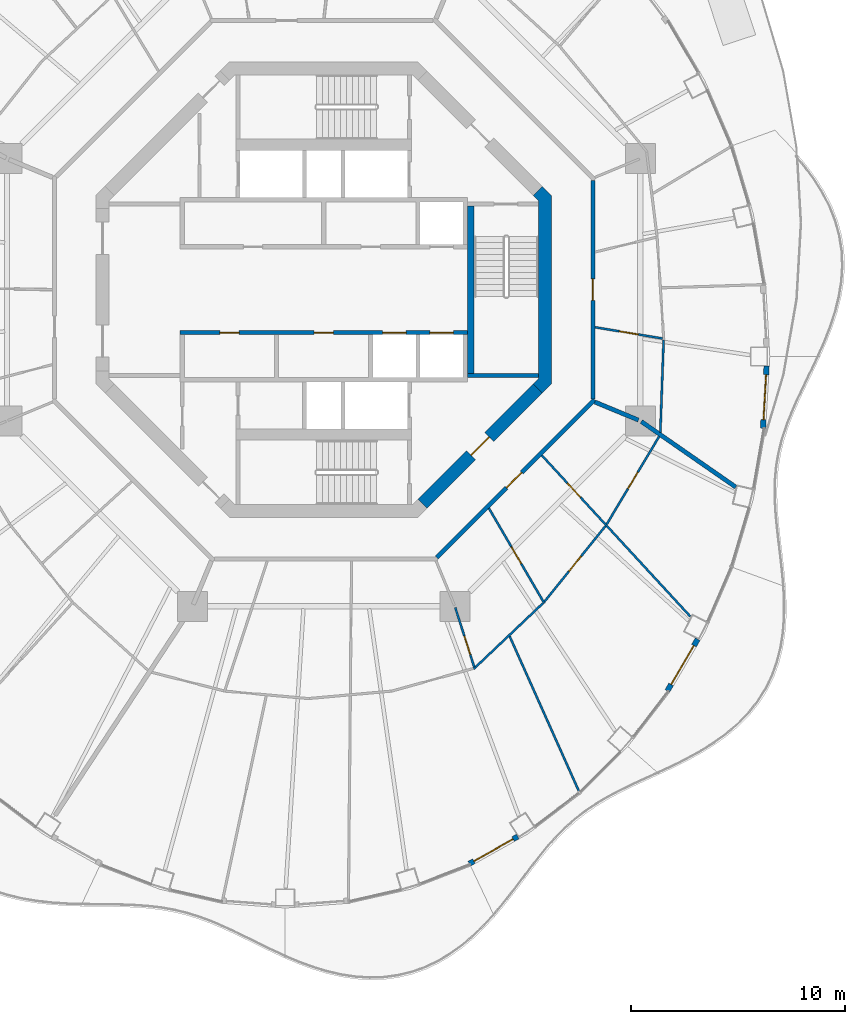
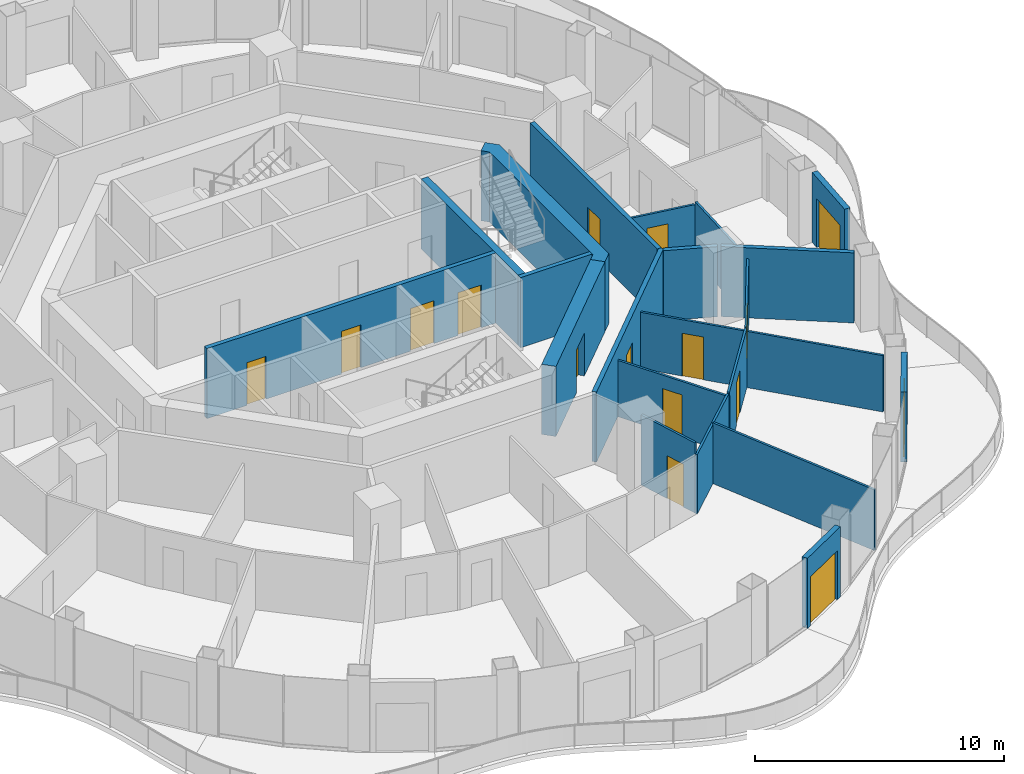
# One storey, part 11 of 17: 21 walls, 16 doors, 16 openings.
"""IFC4 building model written with IfcOpenShell, lengths in metres."""

from ifc_helpers import new_model, si_unit, direction, frame, frame_2d, origin, place, context, subcontext, project, spatial, polyline, rectangle, outline, extrude, material, layer, layer_set, type_object, element, fill, save


model = new_model("IFC4")

# Units and contexts
model_context = context("Model", 3, precision=1e-05, world=origin(), true_north=direction((0.0, 1.0)))
body_context = subcontext(model_context, "Body", "Model", "MODEL_VIEW")
ifc_project = project(units=[si_unit("LENGTHUNIT", "METRE"), si_unit("AREAUNIT", "SQUARE_METRE"), si_unit("VOLUMEUNIT", "CUBIC_METRE"), si_unit("PLANEANGLEUNIT", "RADIAN"), si_unit("MASSUNIT", "GRAM", prefix="KILO")], contexts=[model_context])

# Site, building, storey
site_placement = place(None, origin())
site = spatial("IfcSite", under=ifc_project, at=site_placement, CompositionType="ELEMENT")
building_placement = place(site_placement, origin())
building = spatial("IfcBuilding", under=site, at=building_placement, Name="Nagisa Residences", CompositionType="ELEMENT")
storey_placement = place(building_placement, frame((0.0, 0.0, 258.5)))
storey = spatial("IfcBuildingStorey", under=building, at=storey_placement, Name="L65", CompositionType="ELEMENT", Elevation=258.5)

# Walls
ifc_material_1 = material(Name="Gypsum board on steel studs", Category="steel")
ifc_layer_1 = layer(ifc_material_1, 0.199951171875)
ifc_layer_set_1 = layer_set([ifc_layer_1], Name="Apartment compartment wall EI60 200")
wall_type_1 = type_object("IfcWallType", Name="Apartment compartment wall EI60 200", PredefinedType="PARTITIONING", material=ifc_layer_set_1)
wall_1_placement = place(storey_placement, frame((12.6572265625, -5.24267578125, 0.0), z_axis=(0.0, 0.0, 1.0), x_axis=(0.92383017907, -0.382802560388, 0.0)))
element("IfcWall", 1, at=wall_1_placement, inside=storey, type_object=wall_type_1, Name="wall:L65:u06", PredefinedType="PARTITIONING", context=body_context, shape_type="SweptSolid", body=[
    extrude(rectangle(XDim=2.2001953125, YDim=0.199951171875, at=frame_2d((1.10009765625, 0.0))), origin(), (0.0, 0.0, 1.0), 3.43994140625),
])
wall_2_placement = place(storey_placement, frame((14.8232421875, -6.1513671875, 0.0), z_axis=(0.0, 0.0, 1.0), x_axis=(0.821435065081, -0.570302054928, 0.0)))
element("IfcWall", 2, at=wall_2_placement, inside=storey, type_object=wall_type_1, Name="wall:L65:u07", PredefinedType="PARTITIONING", context=body_context, shape_type="SweptSolid", body=[
    extrude(rectangle(XDim=5.3681640625, YDim=0.199951171875, at=frame_2d((2.68408203125, 0.0))), origin(), (0.0, 0.0, 1.0), 3.43994140625),
])

# Wall, opening, door
ifc_material_2 = material(Name="Gypsum board on steel studs", Category="steel")
ifc_layer_2 = layer(ifc_material_2, 0.199951171875)
ifc_layer_set_2 = layer_set([ifc_layer_2], Name="Apartment entry wall EI60 200")
wall_type_2 = type_object("IfcWallType", Name="Apartment entry wall EI60 200", PredefinedType="PARTITIONING", material=ifc_layer_set_2)
wall_3_placement = place(storey_placement, frame((12.564697265625, -5.1044921875, 0.0), z_axis=(0.0, 0.0, 1.0), x_axis=(0.0, 1.0, 0.0)))
wall_3 = element("IfcWall", 3, at=wall_3_placement, inside=storey, type_object=wall_type_2, Name="wall:L65:u08", PredefinedType="PARTITIONING", context=body_context, shape_type="SweptSolid", body=[
    extrude(rectangle(XDim=10.208984375, YDim=0.199951171875, at=frame_2d((5.1044921875, 0.0))), origin(), (0.0, 0.0, 1.0), 3.43994140625),
])
opening_1_placement = place(wall_3_placement, frame((4.6044921875, 0.0, 0.0)))
opening_1 = element("IfcOpeningElement", 4, at=opening_1_placement, cuts=wall_3, Name="Opening L65-U01", PredefinedType="OPENING", context=body_context, shape_type="SweptSolid", body=[
    extrude(rectangle(XDim=1.0, YDim=2.10009765625, at=frame_2d((0.5, 1.050048828125))), frame((0.0, 0.10986328125, 0.0), z_axis=(0.0, -1.0, 0.0), x_axis=(1.0, 0.0, 0.0)), (0.0, 0.0, 1.0), 0.219970703125),
])
ifc_material_3 = material(Name="Timber fire door set", Category="wood")
door_type_1 = type_object("IfcDoorType", Name="Apartment entry door FD30S 1000x2100", OperationType="NOTDEFINED", PredefinedType="DOOR", material=ifc_material_3)
door_1_placement = place(opening_1_placement, frame((1.0, 0.0, 0.0), x_axis=(-1.0, 0.0, 0.0)))
door_1 = element("IfcDoor", 5, at=door_1_placement, inside=storey, type_object=door_type_1, Name="Entry door, Apartment 65A", OperationType="SINGLE_SWING_RIGHT", OverallHeight=2.10009765625, OverallWidth=1.0, PredefinedType="DOOR", context=body_context, shape_type="SweptSolid", body=[
    extrude(rectangle(XDim=1.0, YDim=2.10009765625, at=frame_2d((0.5, 1.050048828125))), frame((0.0, 0.02490234375, 0.0), z_axis=(0.0, -1.0, 0.0), x_axis=(1.0, 0.0, 0.0)), (0.0, 0.0, 1.0), 0.050048828125),
])
fill(opening_1, door_1)

wall_4_placement = place(storey_placement, frame((5.275146484375, -12.494140625, 0.0), z_axis=(0.0, 0.0, 1.0), x_axis=(0.707106781187, 0.707106781187, 0.0)))
wall_4 = element("IfcWall", 6, at=wall_4_placement, inside=storey, type_object=wall_type_2, Name="wall:L65:u15", PredefinedType="PARTITIONING", context=body_context, shape_type="SweptSolid", body=[
    extrude(rectangle(XDim=10.4091796875, YDim=0.199951171875, at=frame_2d((5.20458984375, 0.0))), origin(), (0.0, 0.0, 1.0), 3.43994140625),
])
opening_2_placement = place(wall_4_placement, frame((4.6044921875, 0.0, 0.0)))
opening_2 = element("IfcOpeningElement", 7, at=opening_2_placement, cuts=wall_4, Name="Opening L65-U28", PredefinedType="OPENING", context=body_context, shape_type="SweptSolid", body=[
    extrude(rectangle(XDim=1.0, YDim=2.10009765625, at=frame_2d((0.5, 1.050048828125))), frame((0.0, 0.10986328125, 0.0), z_axis=(0.0, -1.0, 0.0), x_axis=(1.0, 0.0, 0.0)), (0.0, 0.0, 1.0), 0.219970703125),
])
door_2_placement = place(opening_2_placement, frame((1.0, 0.0, 0.0), x_axis=(-1.0, 0.0, 0.0)))
door_2 = element("IfcDoor", 8, at=door_2_placement, inside=storey, type_object=door_type_1, Name="Entry door, Apartment 65D", OperationType="SINGLE_SWING_LEFT", OverallHeight=2.10009765625, OverallWidth=1.0, PredefinedType="DOOR", context=body_context, shape_type="SweptSolid", body=[
    extrude(rectangle(XDim=1.0, YDim=2.10009765625, at=frame_2d((0.5, 1.050048828125))), frame((0.0, 0.02490234375, 0.0), z_axis=(0.0, -1.0, 0.0), x_axis=(1.0, 0.0, 0.0)), (0.0, 0.0, 1.0), 0.050048828125),
])
fill(opening_2, door_2)

ifc_material_4 = material(Name="Gypsum board on steel studs", Category="steel")
ifc_layer_3 = layer(ifc_material_4, 0.10009765625)
ifc_layer_set_3 = layer_set([ifc_layer_3], Name="Apartment partition 100")
wall_type_3 = type_object("IfcWallType", Name="Apartment partition 100", PredefinedType="PARTITIONING", material=ifc_layer_set_3)
wall_5_placement = place(storey_placement, frame((12.663330078125, -1.75146484375, 0.0), z_axis=(0.0, 0.0, 1.0), x_axis=(0.98626156497, -0.165191178529, 0.0)))
wall_5 = element("IfcWall", 9, at=wall_5_placement, inside=storey, type_object=wall_type_3, Name="wall:L65:u16", PredefinedType="PARTITIONING", context=body_context, shape_type="SweptSolid", body=[
    extrude(rectangle(XDim=3.1982421875, YDim=0.10009765625, at=frame_2d((1.59912109375, 0.0))), origin(), (0.0, 0.0, 1.0), 2.761962890625),
])
opening_3_placement = place(wall_5_placement, frame((1.149169921875, 0.0, 0.0)))
opening_3 = element("IfcOpeningElement", 10, at=opening_3_placement, cuts=wall_5, Name="Opening L65-U02", PredefinedType="OPENING", context=body_context, shape_type="SweptSolid", body=[
    extrude(rectangle(XDim=0.89990234375, YDim=2.10009765625, at=frame_2d((0.449951171875, 1.050048828125))), frame((0.0, 0.06005859375, 0.0), z_axis=(0.0, -1.0, 0.0), x_axis=(1.0, 0.0, 0.0)), (0.0, 0.0, 1.0), 0.1201171875),
])
ifc_material_5 = material(Name="Timber door set", Category="wood")
door_type_2 = type_object("IfcDoorType", Name="Apartment door 900x2100", OperationType="NOTDEFINED", PredefinedType="DOOR", material=ifc_material_5)
door_3_placement = place(opening_3_placement, frame((0.89990234375, 0.0, 0.0), x_axis=(-1.0, 0.0, 0.0)))
door_3 = element("IfcDoor", 11, at=door_3_placement, inside=storey, type_object=door_type_2, Name="Door to store, Apartment 65A", OperationType="SINGLE_SWING_LEFT", OverallHeight=2.10009765625, OverallWidth=0.89990234375, PredefinedType="DOOR", context=body_context, shape_type="SweptSolid", body=[
    extrude(rectangle(XDim=0.89990234375, YDim=2.10009765625, at=frame_2d((0.449951171875, 1.050048828125))), frame((0.0, 0.02490234375, 0.0), z_axis=(0.0, -1.0, 0.0), x_axis=(1.0, 0.0, 0.0)), (0.0, 0.0, 1.0), 0.050048828125),
])
fill(opening_3, door_3)

# Wall
wall_6_placement = place(storey_placement, frame((15.864990234375, -2.337890625, 0.0), z_axis=(0.0, 0.0, 1.0), x_axis=(-0.035864509465, -0.999356661538, 0.0)))
element("IfcWall", 12, at=wall_6_placement, inside=storey, type_object=wall_type_3, Name="wall:L65:u18", PredefinedType="PARTITIONING", context=body_context, shape_type="SweptSolid", body=[
    extrude(rectangle(XDim=4.329345703125, YDim=0.10009765625, at=frame_2d((2.16455078125, 0.0))), origin(), (0.0, 0.0, 1.0), 2.905029296875),
])

# Wall, opening, door
wall_7_placement = place(storey_placement, frame((6.13818359375, -14.82958984375, 0.0), z_axis=(0.0, 0.0, 1.0), x_axis=(0.303665801704, -0.952778610631, 0.0)))
wall_7 = element("IfcWall", 13, at=wall_7_placement, inside=storey, type_object=wall_type_3, Name="wall:L65:u62", PredefinedType="PARTITIONING", context=body_context, shape_type="SweptSolid", body=[
    extrude(rectangle(XDim=2.921630859375, YDim=0.10009765625, at=frame_2d((1.4609375, 0.0))), origin(), (0.0, 0.0, 1.0), 3.43994140625),
])
opening_4_placement = place(wall_7_placement, frame((1.4072265625, 0.0, 0.0)))
opening_4 = element("IfcOpeningElement", 14, at=opening_4_placement, cuts=wall_7, Name="Opening L65-U33", PredefinedType="OPENING", context=body_context, shape_type="SweptSolid", body=[
    extrude(rectangle(XDim=0.89990234375, YDim=2.10009765625, at=frame_2d((0.449951171875, 1.050048828125))), frame((0.0, 0.06005859375, 0.0), z_axis=(0.0, -1.0, 0.0), x_axis=(1.0, 0.0, 0.0)), (0.0, 0.0, 1.0), 0.1201171875),
])
door_4_placement = place(opening_4_placement, frame((0.89990234375, 0.0, 0.0), x_axis=(-1.0, 0.0, 0.0)))
door_4 = element("IfcDoor", 15, at=door_4_placement, inside=storey, type_object=door_type_2, Name="Door to laundry, Apartment 65D", OperationType="SINGLE_SWING_RIGHT", OverallHeight=2.10009765625, OverallWidth=0.89990234375, PredefinedType="DOOR", context=body_context, shape_type="SweptSolid", body=[
    extrude(rectangle(XDim=0.89990234375, YDim=2.10009765625, at=frame_2d((0.449951171875, 1.050048828125))), frame((0.0, 0.02490234375, 0.0), z_axis=(0.0, -1.0, 0.0), x_axis=(1.0, 0.0, 0.0)), (0.0, 0.0, 1.0), 0.050048828125),
])
fill(opening_4, door_4)

# Walls
wall_8_placement = place(storey_placement, frame((7.004150390625, -17.6953125, 0.0), z_axis=(0.0, 0.0, 1.0), x_axis=(0.725438442765, 0.68828705186, 0.0)))
element("IfcWall", 16, at=wall_8_placement, inside=storey, type_object=wall_type_3, Name="wall:L65:u63", PredefinedType="PARTITIONING", context=body_context, shape_type="SweptSolid", body=[
    extrude(rectangle(XDim=4.45556640625, YDim=0.10009765625, at=frame_2d((2.227783203125, 0.0))), origin(), (0.0, 0.0, 1.0), 2.905029296875),
])
wall_9_placement = place(storey_placement, frame((8.677001953125, -16.17333984375, 0.0), z_axis=(0.0, 0.0, 1.0), x_axis=(0.408174671437, -0.912903849043, 0.0)))
element("IfcWall", 17, at=wall_9_placement, inside=storey, type_object=wall_type_3, Name="wall:L65:u64", PredefinedType="PARTITIONING", context=body_context, shape_type="SweptSolid", body=[
    extrude(rectangle(XDim=8.028076171875, YDim=0.10009765625, at=frame_2d((4.01416015625, 0.0))), origin(), (0.0, 0.0, 1.0), 2.98291015625),
])

# Wall, opening, door
wall_10_placement = place(storey_placement, frame((7.708251953125, -10.19775390625, 0.0), z_axis=(0.0, 0.0, 1.0), x_axis=(0.503838537732, -0.863797851292, 0.0)))
wall_10 = element("IfcWall", 18, at=wall_10_placement, inside=storey, type_object=wall_type_3, Name="wall:L65:u65", PredefinedType="PARTITIONING", context=body_context, shape_type="SweptSolid", body=[
    extrude(rectangle(XDim=5.1396484375, YDim=0.10009765625, at=frame_2d((2.56982421875, 0.0))), origin(), (0.0, 0.0, 1.0), 2.761962890625),
])
opening_5_placement = place(wall_10_placement, frame((2.094970703125, 0.0, 0.0)))
opening_5 = element("IfcOpeningElement", 19, at=opening_5_placement, cuts=wall_10, Name="Opening L65-U29", PredefinedType="OPENING", context=body_context, shape_type="SweptSolid", body=[
    extrude(rectangle(XDim=0.89990234375, YDim=2.10009765625, at=frame_2d((0.449951171875, 1.050048828125))), frame((0.0, 0.06005859375, 0.0), z_axis=(0.0, -1.0, 0.0), x_axis=(1.0, 0.0, 0.0)), (0.0, 0.0, 1.0), 0.1201171875),
])
door_5_placement = place(opening_5_placement, frame((0.89990234375, 0.0, 0.0), x_axis=(-1.0, 0.0, 0.0)))
door_5 = element("IfcDoor", 20, at=door_5_placement, inside=storey, type_object=door_type_2, Name="Door to family bathroom, Apartment 65D", OperationType="SINGLE_SWING_RIGHT", OverallHeight=2.10009765625, OverallWidth=0.89990234375, PredefinedType="DOOR", context=body_context, shape_type="SweptSolid", body=[
    extrude(rectangle(XDim=0.89990234375, YDim=2.10009765625, at=frame_2d((0.449951171875, 1.050048828125))), frame((0.0, 0.02490234375, 0.0), z_axis=(0.0, -1.0, 0.0), x_axis=(1.0, 0.0, 0.0)), (0.0, 0.0, 1.0), 0.050048828125),
])
fill(opening_5, door_5)

wall_11_placement = place(storey_placement, frame((10.303955078125, -14.555419921875, 0.0), z_axis=(0.0, 0.0, 1.0), x_axis=(0.628170338674, 0.778075848237, 0.0)))
wall_11 = element("IfcWall", 21, at=wall_11_placement, inside=storey, type_object=wall_type_3, Name="wall:L65:u66", PredefinedType="PARTITIONING", context=body_context, shape_type="SweptSolid", body=[
    extrude(rectangle(XDim=4.532470703125, YDim=0.10009765625, at=frame_2d((2.26611328125, 0.0))), origin(), (0.0, 0.0, 1.0), 2.905029296875),
])
opening_6_placement = place(wall_11_placement, frame((1.816162109375, 0.0, 0.0)))
opening_6 = element("IfcOpeningElement", 22, at=opening_6_placement, cuts=wall_11, Name="Opening L65-U31", PredefinedType="OPENING", context=body_context, shape_type="SweptSolid", body=[
    extrude(rectangle(XDim=0.89990234375, YDim=2.10009765625, at=frame_2d((0.449951171875, 1.050048828125))), frame((0.0, 0.06005859375, 0.0), z_axis=(0.0, -1.0, 0.0), x_axis=(1.0, 0.0, 0.0)), (0.0, 0.0, 1.0), 0.1201171875),
])
door_6_placement = place(opening_6_placement, frame((0.89990234375, 0.0, 0.0), x_axis=(-1.0, 0.0, 0.0)))
door_6 = element("IfcDoor", 23, at=door_6_placement, inside=storey, type_object=door_type_2, Name="Door to master bedroom, Apartment 65D", OperationType="SINGLE_SWING_RIGHT", OverallHeight=2.10009765625, OverallWidth=0.89990234375, PredefinedType="DOOR", context=body_context, shape_type="SweptSolid", body=[
    extrude(rectangle(XDim=0.89990234375, YDim=2.10009765625, at=frame_2d((0.449951171875, 1.050048828125))), frame((0.0, 0.02490234375, 0.0), z_axis=(0.0, -1.0, 0.0), x_axis=(1.0, 0.0, 0.0)), (0.0, 0.0, 1.0), 0.050048828125),
])
fill(opening_6, door_6)

wall_12_placement = place(storey_placement, frame((10.17919921875, -7.7314453125, 0.0), z_axis=(0.0, 0.0, 1.0), x_axis=(0.67775318564, -0.73528947997, 0.0)))
wall_12 = element("IfcWall", 24, at=wall_12_placement, inside=storey, type_object=wall_type_3, Name="wall:L65:u67", PredefinedType="PARTITIONING", context=body_context, shape_type="SweptSolid", body=[
    extrude(rectangle(XDim=10.221923828125, YDim=0.10009765625, at=frame_2d((5.11083984375, 0.0))), origin(), (0.0, 0.0, 1.0), 2.761962890625),
])
opening_7_placement = place(wall_12_placement, frame((1.765625, 0.0, 0.0)))
opening_7 = element("IfcOpeningElement", 25, at=opening_7_placement, cuts=wall_12, Name="Opening L65-U30", PredefinedType="OPENING", context=body_context, shape_type="SweptSolid", body=[
    extrude(rectangle(XDim=0.89990234375, YDim=2.10009765625, at=frame_2d((0.449951171875, 1.050048828125))), frame((0.0, 0.06005859375, 0.0), z_axis=(0.0, -1.0, 0.0), x_axis=(1.0, 0.0, 0.0)), (0.0, 0.0, 1.0), 0.1201171875),
])
door_7_placement = place(opening_7_placement, origin())
door_7 = element("IfcDoor", 26, at=door_7_placement, inside=storey, type_object=door_type_2, Name="Door to laundry, Apartment 65D", OperationType="SINGLE_SWING_RIGHT", OverallHeight=2.10009765625, OverallWidth=0.89990234375, PredefinedType="DOOR", context=body_context, shape_type="SweptSolid", body=[
    extrude(rectangle(XDim=0.89990234375, YDim=2.10009765625, at=frame_2d((0.449951171875, 1.050048828125))), frame((0.0, 0.02490234375, 0.0), z_axis=(0.0, -1.0, 0.0), x_axis=(1.0, 0.0, 0.0)), (0.0, 0.0, 1.0), 0.050048828125),
])
fill(opening_7, door_7)

wall_13_placement = place(storey_placement, frame((13.208251953125, -10.947021484375, 0.0), z_axis=(0.0, 0.0, 1.0), x_axis=(0.512726452516, 0.858552028063, 0.0)))
wall_13 = element("IfcWall", 27, at=wall_13_placement, inside=storey, type_object=wall_type_3, Name="wall:L65:u68", PredefinedType="PARTITIONING", context=body_context, shape_type="SweptSolid", body=[
    extrude(rectangle(XDim=4.771728515625, YDim=0.10009765625, at=frame_2d((2.3857421875, 0.0))), origin(), (0.0, 0.0, 1.0), 2.905029296875),
])
opening_8_placement = place(wall_13_placement, frame((1.935791015625, 0.0, 0.0)))
opening_8 = element("IfcOpeningElement", 28, at=opening_8_placement, cuts=wall_13, Name="Opening L65-U32", PredefinedType="OPENING", context=body_context, shape_type="SweptSolid", body=[
    extrude(rectangle(XDim=0.89990234375, YDim=2.10009765625, at=frame_2d((0.449951171875, 1.050048828125))), frame((0.0, 0.06005859375, 0.0), z_axis=(0.0, -1.0, 0.0), x_axis=(1.0, 0.0, 0.0)), (0.0, 0.0, 1.0), 0.1201171875),
])
door_8_placement = place(opening_8_placement, frame((0.89990234375, 0.0, 0.0), x_axis=(-1.0, 0.0, 0.0)))
door_8 = element("IfcDoor", 29, at=door_8_placement, inside=storey, type_object=door_type_2, Name="Door to kitchen, Apartment 65D", OperationType="SINGLE_SWING_LEFT", OverallHeight=2.10009765625, OverallWidth=0.89990234375, PredefinedType="DOOR", context=body_context, shape_type="SweptSolid", body=[
    extrude(rectangle(XDim=0.89990234375, YDim=2.10009765625, at=frame_2d((0.449951171875, 1.050048828125))), frame((0.0, 0.02490234375, 0.0), z_axis=(0.0, -1.0, 0.0), x_axis=(1.0, 0.0, 0.0)), (0.0, 0.0, 1.0), 0.050048828125),
])
fill(opening_8, door_8)

ifc_material_6 = material(Name="Precast concrete C40/50", Category="concrete")
ifc_layer_4 = layer(ifc_material_6, 0.25)
ifc_layer_set_4 = layer_set([ifc_layer_4], Name="BALCONY DOOR WALL 250")
wall_type_4 = type_object("IfcWallType", Name="BALCONY DOOR WALL 250", PredefinedType="SOLIDWALL", material=ifc_layer_set_4)
wall_14_placement = place(storey_placement, frame((9.056396484375, -25.5205078125, 0.0), z_axis=(0.0, 0.0, 1.0), x_axis=(-0.872093060299, -0.489340059855, 0.0)))
wall_14 = element("IfcWall", 30, at=wall_14_placement, inside=storey, type_object=wall_type_4, Name="wall:L65:bay39", PredefinedType="SOLIDWALL", context=body_context, shape_type="SweptSolid", body=[
    extrude(rectangle(XDim=2.5927734375, YDim=0.25, at=frame_2d((1.29638671875, 0.0))), origin(), (0.0, 0.0, 1.0), 3.43994140625),
])
opening_9_placement = place(wall_14_placement, frame((0.24658203125, 0.0, 0.0)))
opening_9 = element("IfcOpeningElement", 31, at=opening_9_placement, cuts=wall_14, Name="Opening BD-L65-14", PredefinedType="OPENING", context=body_context, shape_type="SweptSolid", body=[
    extrude(rectangle(XDim=2.10009765625, YDim=2.39990234375, at=frame_2d((1.050048828125, 1.199951171875))), frame((0.0, 0.135009765625, 0.0), z_axis=(0.0, -1.0, 0.0), x_axis=(1.0, 0.0, 0.0)), (0.0, 0.0, 1.0), 0.27001953125),
])
ifc_material_7 = material(Name="Aluminium and clear glass", Category="aluminium")
door_type_3 = type_object("IfcDoorType", Name="BALCONY SLIDING DOOR 2100x2400", OperationType="SLIDING_TO_LEFT", PredefinedType="DOOR", material=ifc_material_7)
door_9_placement = place(opening_9_placement, origin())
door_9 = element("IfcDoor", 32, at=door_9_placement, inside=storey, type_object=door_type_3, Name="door:L65:bay39", OperationType="SLIDING_TO_LEFT", OverallHeight=2.39990234375, OverallWidth=2.10009765625, PredefinedType="DOOR", context=body_context, shape_type="SweptSolid", body=[
    extrude(rectangle(XDim=2.10009765625, YDim=2.39990234375, at=frame_2d((1.050048828125, 1.199951171875))), frame((0.0, 0.02490234375, 0.0), z_axis=(0.0, -1.0, 0.0), x_axis=(1.0, 0.0, 0.0)), (0.0, 0.0, 1.0), 0.050048828125),
])
fill(opening_9, door_9)

wall_15_placement = place(storey_placement, frame((17.453857421875, -16.3125, 0.0), z_axis=(0.0, 0.0, 1.0), x_axis=(-0.506371364425, -0.862315511452, 0.0)))
wall_15 = element("IfcWall", 33, at=wall_15_placement, inside=storey, type_object=wall_type_4, Name="wall:L65:bay43", PredefinedType="SOLIDWALL", context=body_context, shape_type="SweptSolid", body=[
    extrude(rectangle(XDim=2.79638671875, YDim=0.25, at=frame_2d((1.398193359375, 0.0))), origin(), (0.0, 0.0, 1.0), 3.43994140625),
])
opening_10_placement = place(wall_15_placement, frame((0.34814453125, 0.0, 0.0)))
opening_10 = element("IfcOpeningElement", 34, at=opening_10_placement, cuts=wall_15, Name="Opening BD-L65-15", PredefinedType="OPENING", context=body_context, shape_type="SweptSolid", body=[
    extrude(rectangle(XDim=2.10009765625, YDim=2.39990234375, at=frame_2d((1.050048828125, 1.199951171875))), frame((0.0, 0.135009765625, 0.0), z_axis=(0.0, -1.0, 0.0), x_axis=(1.0, 0.0, 0.0)), (0.0, 0.0, 1.0), 0.27001953125),
])
door_10_placement = place(opening_10_placement, origin())
door_10 = element("IfcDoor", 35, at=door_10_placement, inside=storey, type_object=door_type_3, Name="door:L65:bay43", OperationType="SLIDING_TO_LEFT", OverallHeight=2.39990234375, OverallWidth=2.10009765625, PredefinedType="DOOR", context=body_context, shape_type="SweptSolid", body=[
    extrude(rectangle(XDim=2.10009765625, YDim=2.39990234375, at=frame_2d((1.050048828125, 1.199951171875))), frame((0.0, 0.02490234375, 0.0), z_axis=(0.0, -1.0, 0.0), x_axis=(1.0, 0.0, 0.0)), (0.0, 0.0, 1.0), 0.050048828125),
])
fill(opening_10, door_10)

wall_16_placement = place(storey_placement, frame((20.66943359375, -3.559814453125, 0.0), z_axis=(0.0, 0.0, 1.0), x_axis=(-0.057533933376, -0.998343551344, 0.0)))
wall_16 = element("IfcWall", 36, at=wall_16_placement, inside=storey, type_object=wall_type_4, Name="wall:L65:bay47", PredefinedType="SOLIDWALL", context=body_context, shape_type="SweptSolid", body=[
    extrude(rectangle(XDim=2.915283203125, YDim=0.25, at=frame_2d((1.45751953125, 0.0))), origin(), (0.0, 0.0, 1.0), 3.43994140625),
])
opening_11_placement = place(wall_16_placement, frame((0.40771484375, 0.0, 0.0)))
opening_11 = element("IfcOpeningElement", 37, at=opening_11_placement, cuts=wall_16, Name="Opening BD-L65-16", PredefinedType="OPENING", context=body_context, shape_type="SweptSolid", body=[
    extrude(rectangle(XDim=2.10009765625, YDim=2.39990234375, at=frame_2d((1.050048828125, 1.199951171875))), frame((0.0, 0.135009765625, 0.0), z_axis=(0.0, -1.0, 0.0), x_axis=(1.0, 0.0, 0.0)), (0.0, 0.0, 1.0), 0.27001953125),
])
door_11_placement = place(opening_11_placement, origin())
door_11 = element("IfcDoor", 38, at=door_11_placement, inside=storey, type_object=door_type_3, Name="door:L65:bay47", OperationType="SLIDING_TO_LEFT", OverallHeight=2.39990234375, OverallWidth=2.10009765625, PredefinedType="DOOR", context=body_context, shape_type="SweptSolid", body=[
    extrude(rectangle(XDim=2.10009765625, YDim=2.39990234375, at=frame_2d((1.050048828125, 1.199951171875))), frame((0.0, 0.02490234375, 0.0), z_axis=(0.0, -1.0, 0.0), x_axis=(1.0, 0.0, 0.0)), (0.0, 0.0, 1.0), 0.050048828125),
])
fill(opening_11, door_11)

ifc_material_8 = material(Name="Concrete C60", Category="concrete")
ifc_layer_5 = layer(ifc_material_8, 0.60009765625)
ifc_layer_set_5 = layer_set([ifc_layer_5], Name="Core shear wall 600")
wall_type_5 = type_object("IfcWallType", Name="Core shear wall 600", PredefinedType="SHEAR", material=ifc_layer_set_5)
wall_17_placement = place(storey_placement, frame((4.613037109375, -9.98828125, 0.0), z_axis=(0.0, 0.0, 1.0), x_axis=(0.707106781187, 0.707106781187, 0.0)))
wall_17 = element("IfcWall", 39, at=wall_17_placement, inside=storey, type_object=wall_type_5, Name="wall:L65:core:flat7", PredefinedType="SHEAR", context=body_context, shape_type="SweptSolid", body=[
    extrude(rectangle(XDim=7.601806640625, YDim=0.60009765625, at=frame_2d((3.80078125, 0.0))), origin(), (0.0, 0.0, 1.0), 3.43994140625),
])
opening_12_placement = place(wall_17_placement, frame((3.200927734375, 0.0, 0.0)))
opening_12 = element("IfcOpeningElement", 40, at=opening_12_placement, cuts=wall_17, Name="Opening L65-C18", PredefinedType="OPENING", context=body_context, shape_type="SweptSolid", body=[
    extrude(rectangle(XDim=1.199951171875, YDim=2.10009765625, at=frame_2d((0.60009765625, 1.050048828125))), frame((0.0, 0.31005859375, 0.0), z_axis=(0.0, -1.0, 0.0), x_axis=(1.0, 0.0, 0.0)), (0.0, 0.0, 1.0), 0.6201171875),
])
ifc_material_9 = material(Name="Steel fire door", Category="steel")
door_type_4 = type_object("IfcDoorType", Name="Fire door EI60 1200x2100 single swing", OperationType="NOTDEFINED", PredefinedType="DOOR", material=ifc_material_9)
door_12_placement = place(opening_12_placement, origin())
door_12 = element("IfcDoor", 41, at=door_12_placement, inside=storey, type_object=door_type_4, Name="Firefighting lobby 2 door L65", OperationType="SINGLE_SWING_LEFT", OverallHeight=2.10009765625, OverallWidth=1.199951171875, PredefinedType="DOOR", context=body_context, shape_type="SweptSolid", body=[
    extrude(rectangle(XDim=1.199951171875, YDim=2.10009765625, at=frame_2d((0.60009765625, 1.050048828125))), frame((0.0, 0.02490234375, 0.0), z_axis=(0.0, -1.0, 0.0), x_axis=(1.0, 0.0, 0.0)), (0.0, 0.0, 1.0), 0.050048828125),
])
fill(opening_12, door_12)

# Wall
wall_18_placement = place(storey_placement, origin())
element("IfcWall", 42, at=wall_18_placement, inside=storey, type_object=wall_type_5, Name="wall:L65:core:flat0", PredefinedType="SHEAR", context=body_context, shape_type="SweptSolid", body=[
    extrude(outline(polyline([(9.776123046875, -4.40087890625), (10.024658203125, -4.15234375), (10.024658203125, -3.801025390625), (10.024658203125, 4.15234375), (9.776123046875, 4.40087890625), (10.200439453125, 4.8251953125), (10.62451171875, 4.40087890625), (10.62451171875, -4.40087890625), (10.200439453125, -4.8251953125), (9.776123046875, -4.40087890625)])), origin(), (0.0, 0.0, 1.0), 3.43994140625),
])

# Wall, openings, doors
ifc_material_10 = material(Name="Concrete C60", Category="concrete")
ifc_layer_6 = layer(ifc_material_10, 0.199951171875)
ifc_layer_set_6 = layer_set([ifc_layer_6], Name="Lift shaft wall 200")
wall_type_6 = type_object("IfcWallType", Name="Lift shaft wall 200", PredefinedType="SOLIDWALL", material=ifc_layer_set_6)
wall_19_placement = place(storey_placement, frame((-6.699951171875, -2.0, 0.0), z_axis=(0.0, 0.0, 1.0), x_axis=(1.0, 0.0, 0.0)))
wall_19 = element("IfcWall", 43, at=wall_19_placement, inside=storey, type_object=wall_type_6, Name="wall:L65:Sfront", PredefinedType="SOLIDWALL", context=body_context, shape_type="SweptSolid", body=[
    extrude(rectangle(XDim=13.39990234375, YDim=0.199951171875, at=frame_2d((6.699951171875, 0.0))), origin(), (0.0, 0.0, 1.0), 3.43994140625),
])
opening_13_placement = place(wall_19_placement, frame((9.449951171875, 0.0, 0.0)))
opening_13 = element("IfcOpeningElement", 44, at=opening_13_placement, cuts=wall_19, Name="Opening L65-C02", PredefinedType="OPENING", context=body_context, shape_type="SweptSolid", body=[
    extrude(rectangle(XDim=1.10009765625, YDim=2.10009765625, at=frame_2d((0.550048828125, 1.050048828125))), frame((0.0, 0.10986328125, 0.0), z_axis=(0.0, -1.0, 0.0), x_axis=(1.0, 0.0, 0.0)), (0.0, 0.0, 1.0), 0.219970703125),
])
opening_14_placement = place(wall_19_placement, frame((11.64990234375, 0.0, 0.0)))
opening_14 = element("IfcOpeningElement", 45, at=opening_14_placement, cuts=wall_19, Name="Opening L65-C03", PredefinedType="OPENING", context=body_context, shape_type="SweptSolid", body=[
    extrude(rectangle(XDim=1.10009765625, YDim=2.10009765625, at=frame_2d((0.550048828125, 1.050048828125))), frame((0.0, 0.10986328125, 0.0), z_axis=(0.0, -1.0, 0.0), x_axis=(1.0, 0.0, 0.0)), (0.0, 0.0, 1.0), 0.219970703125),
])
opening_15_placement = place(wall_19_placement, frame((1.85009765625, 0.0, 0.0)))
opening_15 = element("IfcOpeningElement", 46, at=opening_15_placement, cuts=wall_19, Name="Opening L65-C15", PredefinedType="OPENING", context=body_context, shape_type="SweptSolid", body=[
    extrude(rectangle(XDim=0.89990234375, YDim=2.10009765625, at=frame_2d((0.449951171875, 1.050048828125))), frame((0.0, 0.10986328125, 0.0), z_axis=(0.0, -1.0, 0.0), x_axis=(1.0, 0.0, 0.0)), (0.0, 0.0, 1.0), 0.219970703125),
])
opening_16_placement = place(wall_19_placement, frame((6.25, 0.0, 0.0)))
opening_16 = element("IfcOpeningElement", 47, at=opening_16_placement, cuts=wall_19, Name="Opening L65-C16", PredefinedType="OPENING", context=body_context, shape_type="SweptSolid", body=[
    extrude(rectangle(XDim=0.89990234375, YDim=2.10009765625, at=frame_2d((0.449951171875, 1.050048828125))), frame((0.0, 0.10986328125, 0.0), z_axis=(0.0, -1.0, 0.0), x_axis=(1.0, 0.0, 0.0)), (0.0, 0.0, 1.0), 0.219970703125),
])
ifc_material_11 = material(Name="Steel fire door", Category="steel")
door_type_5 = type_object("IfcDoorType", Name="Fire door EI30 900x2100 single swing", OperationType="NOTDEFINED", PredefinedType="DOOR", material=ifc_material_11)
door_13_placement = place(opening_15_placement, frame((0.89990234375, 0.0, 0.0), x_axis=(-1.0, 0.0, 0.0)))
door_13 = element("IfcDoor", 48, at=door_13_placement, inside=storey, type_object=door_type_5, Name="Recycling room door L65", OperationType="SINGLE_SWING_LEFT", OverallHeight=2.10009765625, OverallWidth=0.89990234375, PredefinedType="DOOR", context=body_context, shape_type="SweptSolid", body=[
    extrude(rectangle(XDim=0.89990234375, YDim=2.10009765625, at=frame_2d((0.449951171875, 1.050048828125))), frame((0.0, 0.02490234375, 0.0), z_axis=(0.0, -1.0, 0.0), x_axis=(1.0, 0.0, 0.0)), (0.0, 0.0, 1.0), 0.050048828125),
])
fill(opening_15, door_13)
door_14_placement = place(opening_16_placement, frame((0.89990234375, 0.0, 0.0), x_axis=(-1.0, 0.0, 0.0)))
door_14 = element("IfcDoor", 49, at=door_14_placement, inside=storey, type_object=door_type_5, Name="Stationery store door L65", OperationType="SINGLE_SWING_LEFT", OverallHeight=2.10009765625, OverallWidth=0.89990234375, PredefinedType="DOOR", context=body_context, shape_type="SweptSolid", body=[
    extrude(rectangle(XDim=0.89990234375, YDim=2.10009765625, at=frame_2d((0.449951171875, 1.050048828125))), frame((0.0, 0.02490234375, 0.0), z_axis=(0.0, -1.0, 0.0), x_axis=(1.0, 0.0, 0.0)), (0.0, 0.0, 1.0), 0.050048828125),
])
fill(opening_16, door_14)
ifc_material_12 = material(Name="Stainless steel", Category="steel")
door_type_6 = type_object("IfcDoorType", Name="Lift landing door 1100x2100", OperationType="DOUBLE_DOOR_SLIDING", PredefinedType="DOOR", material=ifc_material_12)
door_15_placement = place(opening_13_placement, origin())
door_15 = element("IfcDoor", 50, at=door_15_placement, inside=storey, type_object=door_type_6, Name="Landing door C2 L65", OperationType="DOUBLE_DOOR_SLIDING", OverallHeight=2.10009765625, OverallWidth=1.10009765625, PredefinedType="DOOR", context=body_context, shape_type="SweptSolid", body=[
    extrude(rectangle(XDim=1.10009765625, YDim=2.10009765625, at=frame_2d((0.550048828125, 1.050048828125))), frame((0.0, 0.02490234375, 0.0), z_axis=(0.0, -1.0, 0.0), x_axis=(1.0, 0.0, 0.0)), (0.0, 0.0, 1.0), 0.050048828125),
])
fill(opening_13, door_15)
door_16_placement = place(opening_14_placement, origin())
door_16 = element("IfcDoor", 51, at=door_16_placement, inside=storey, type_object=door_type_6, Name="Landing door C3 L65", OperationType="DOUBLE_DOOR_SLIDING", OverallHeight=2.10009765625, OverallWidth=1.10009765625, PredefinedType="DOOR", context=body_context, shape_type="SweptSolid", body=[
    extrude(rectangle(XDim=1.10009765625, YDim=2.10009765625, at=frame_2d((0.550048828125, 1.050048828125))), frame((0.0, 0.02490234375, 0.0), z_axis=(0.0, -1.0, 0.0), x_axis=(1.0, 0.0, 0.0)), (0.0, 0.0, 1.0), 0.050048828125),
])
fill(opening_14, door_16)

# Walls
ifc_material_13 = material(Name="Concrete C60", Category="concrete")
ifc_layer_7 = layer(ifc_material_13, 0.199951171875)
ifc_layer_set_7 = layer_set([ifc_layer_7], Name="Stair enclosure wall 200")
wall_type_7 = type_object("IfcWallType", Name="Stair enclosure wall 200", PredefinedType="SOLIDWALL", material=ifc_layer_set_7)
wall_20_placement = place(storey_placement, origin())
element("IfcWall", 52, at=wall_20_placement, inside=storey, type_object=wall_type_7, Name="wall:L65:SE_w", PredefinedType="SOLIDWALL", context=body_context, shape_type="SweptSolid", body=[
    extrude(outline(polyline([(7.024658203125, -3.89990234375), (6.699951171875, -3.89990234375), (6.699951171875, 3.89990234375), (7.024658203125, 3.89990234375), (7.024658203125, -3.89990234375)])), origin(), (0.0, 0.0, 1.0), 3.43994140625),
])
wall_21_placement = place(storey_placement, origin())
element("IfcWall", 53, at=wall_21_placement, inside=storey, type_object=wall_type_7, Name="wall:L65:SE_s", PredefinedType="SOLIDWALL", context=body_context, shape_type="SweptSolid", body=[
    extrude(outline(polyline([(10.024658203125, -4.10009765625), (6.699951171875, -4.10009765625), (6.699951171875, -3.89990234375), (10.024658203125, -3.89990234375), (10.024658203125, -4.10009765625)])), origin(), (0.0, 0.0, 1.0), 3.43994140625),
])

save(model, "model.ifc")
